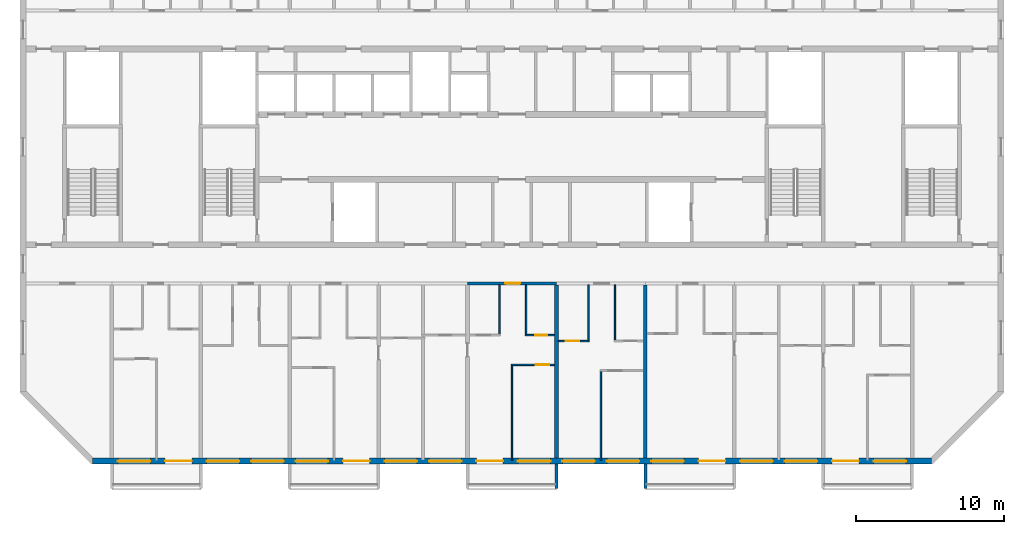
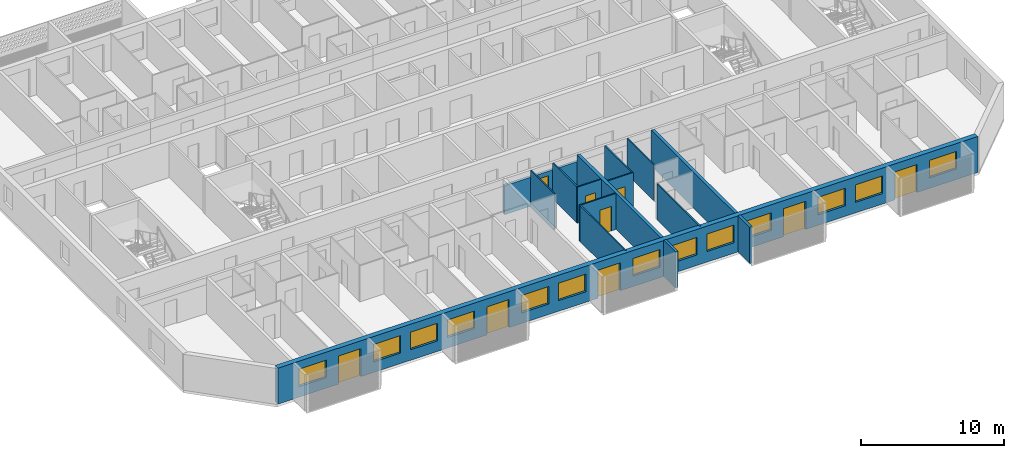
# One storey, part 4 of 27: 15 walls, 13 windows, 9 doors, 22 openings.
"""IFC4 building model written with IfcOpenShell, lengths in metres."""

from ifc_helpers import new_model, si_unit, direction, frame, frame_2d, origin, place, context, subcontext, project, spatial, polyline, rectangle, outline, extrude, source, transform, mapped, material, layer, layer_set, type_object, element, fill, save


model = new_model("IFC4")

# Units and contexts
model_context = context("Model", 3, precision=1e-05, world=origin(), true_north=direction((0.0, 1.0)))
body_context = subcontext(model_context, "Body", "Model", "MODEL_VIEW")
ifc_project = project(units=[si_unit("LENGTHUNIT", "METRE"), si_unit("AREAUNIT", "SQUARE_METRE"), si_unit("VOLUMEUNIT", "CUBIC_METRE"), si_unit("PLANEANGLEUNIT", "RADIAN"), si_unit("MASSUNIT", "GRAM", prefix="KILO")], contexts=[model_context])

# Site, building, storey
site_placement = place(None, origin())
site = spatial("IfcSite", under=ifc_project, at=site_placement, CompositionType="ELEMENT")
building_placement = place(site_placement, origin())
building = spatial("IfcBuilding", under=site, at=building_placement, Name="Poui Terraces", CompositionType="ELEMENT")
storey_placement = place(building_placement, frame((0.0, 0.0, 195.0)))
storey = spatial("IfcBuildingStorey", under=building, at=storey_placement, Name="L54", CompositionType="ELEMENT", Elevation=195.0)

# Wall, opening, door
ifc_material_1 = material(Name="Concrete 50 MPa", Category="concrete")
ifc_layer_1 = layer(ifc_material_1, 0.199951171875)
ifc_layer_set_1 = layer_set([ifc_layer_1], Name="Concrete 50 MPa")
wall_type_1 = type_object("IfcWallType", Name="CORRIDOR WALL 200 50MPa", PredefinedType="SHEAR", material=ifc_layer_set_1)
wall_1_placement = place(storey_placement, frame((48.0, 12.0, 0.0), z_axis=(0.0, 0.0, 1.0), x_axis=(1.0, 0.0, 0.0)))
wall_1 = element("IfcWall", 1, at=wall_1_placement, inside=storey, type_object=wall_type_1, Name="CORRIDOR WALL LINE B BAY 6", PredefinedType="SHEAR", context=body_context, shape_type="SweptSolid", body=[
    extrude(rectangle(XDim=6.0, YDim=0.199951171875, at=frame_2d((3.0, 0.0))), origin(), (0.0, 0.0, 1.0), 2.47998046875),
])
opening_1_placement = place(wall_1_placement, frame((2.550048828125, 0.0, 0.0)))
opening_1 = element("IfcOpeningElement", 2, at=opening_1_placement, cuts=wall_1, Name="Opening FD30S", PredefinedType="OPENING", context=body_context, shape_type="SweptSolid", body=[
    extrude(rectangle(XDim=1.0, YDim=2.10009765625, at=frame_2d((0.5, 1.050048828125))), frame((0.0, 0.10986328125, 0.0), z_axis=(0.0, -1.0, 0.0), x_axis=(1.0, 0.0, 0.0)), (0.0, 0.0, 1.0), 0.219970703125),
])
ifc_material_2 = material(Name="Steel fire door", Category="steel")
door_type_1 = type_object("IfcDoorType", Name="FLAT ENTRANCE DOOR 1000 X 2100", OperationType="NOTDEFINED", PredefinedType="DOOR", material=ifc_material_2)
door_1_placement = place(opening_1_placement, frame((1.0, 0.0, 0.0), z_axis=(0.0, 0.0, 1.0), x_axis=(-1.0, 0.0, 0.0)))
door_1 = element("IfcDoor", 3, at=door_1_placement, inside=storey, type_object=door_type_1, Name="FLAT ENTRANCE DOOR 080", OperationType="SINGLE_SWING_LEFT", OverallHeight=2.10009765625, OverallWidth=1.0, PredefinedType="DOOR", context=body_context, shape_type="SweptSolid", body=[
    extrude(rectangle(XDim=1.0, YDim=2.10009765625, at=frame_2d((0.5, 1.050048828125))), frame((0.0, 0.02490234375, 0.0), z_axis=(0.0, -1.0, 0.0), x_axis=(1.0, 0.0, 0.0)), (0.0, 0.0, 1.0), 0.050048828125),
])
fill(opening_1, door_1)

# Walls
ifc_layer_2 = layer(ifc_material_1, 0.25)
ifc_layer_set_2 = layer_set([ifc_layer_2], Name="Concrete 50 MPa")
wall_type_2 = type_object("IfcWallType", Name="CROSS WALL 250 50MPa", PredefinedType="SHEAR", material=ifc_layer_set_2)
for number, where, z_axis, x_axis, name in (
    (4, (54.0, 0.199951171875, 0.0), (0.0, 0.0, 1.0), (0.0, 1.0, 0.0), "CROSS WALL LINE 10 SOUTH"),
    (5, (60.0, 0.199951171875, 0.0), (0.0, 0.0, 1.0), (0.0, 1.0, 0.0), "CROSS WALL LINE 11 SOUTH"),
):
    element("IfcWall", number, at=place(storey_placement, frame(where, z_axis=z_axis, x_axis=x_axis)), inside=storey, type_object=wall_type_2, Name=name, PredefinedType="SHEAR", context=body_context, shape_type="SweptSolid", body=[
        extrude(rectangle(XDim=11.699951171875, YDim=0.25, at=frame_2d((5.85009765625, 0.0))), origin(), (0.0, 0.0, 1.0), 3.080078125),
    ])

# Wall, openings, doors, windows
ifc_material_3 = material(Name="Precast concrete 40 MPa", Category="concrete")
ifc_layer_3 = layer(ifc_material_3, 0.39990234375)
ifc_layer_set_3 = layer_set([ifc_layer_3], Name="Precast concrete 40 MPa")
wall_type_3 = type_object("IfcWallType", Name="EXTERNAL WALL 400", PredefinedType="STANDARD", material=ifc_layer_set_3)
wall_2_placement = place(storey_placement, frame((22.682861328125, 0.0, 0.0), z_axis=(0.0, 0.0, 1.0), x_axis=(1.0, 0.0, 0.0)))
wall_2 = element("IfcWall", 6, at=wall_2_placement, inside=storey, type_object=wall_type_3, Name="EXTERNAL WALL S", PredefinedType="STANDARD", context=body_context, shape_type="SweptSolid", body=[
    extrude(rectangle(XDim=56.63427734375, YDim=0.39990234375, at=frame_2d((28.317138671875, 0.0))), origin(), (0.0, 0.0, 1.0), 3.080078125),
])
opening_2_placement = place(wall_2_placement, frame((1.71728515625, 0.0, 0.89990234375)))
opening_2 = element("IfcOpeningElement", 7, at=opening_2_placement, cuts=wall_2, Name="Opening W1", PredefinedType="OPENING", context=body_context, shape_type="SweptSolid", body=[
    extrude(rectangle(XDim=2.199951171875, YDim=1.5, at=frame_2d((1.10009765625, 0.75))), frame((0.0, 0.2099609375, 0.0), z_axis=(0.0, -1.0, 0.0), x_axis=(1.0, 0.0, 0.0)), (0.0, 0.0, 1.0), 0.419921875),
])
opening_3_placement = place(wall_2_placement, frame((4.917236328125, 0.0, 0.0)))
opening_3 = element("IfcOpeningElement", 8, at=opening_3_placement, cuts=wall_2, Name="Opening BD1", PredefinedType="OPENING", context=body_context, shape_type="SweptSolid", body=[
    extrude(rectangle(XDim=1.800048828125, YDim=2.39990234375, at=frame_2d((0.89990234375, 1.199951171875))), frame((0.0, 0.2099609375, 0.0), z_axis=(0.0, -1.0, 0.0), x_axis=(1.0, 0.0, 0.0)), (0.0, 0.0, 1.0), 0.419921875),
])
opening_4_placement = place(wall_2_placement, frame((7.71728515625, 0.0, 0.89990234375)))
opening_4 = element("IfcOpeningElement", 9, at=opening_4_placement, cuts=wall_2, Name="Opening W1", PredefinedType="OPENING", context=body_context, shape_type="SweptSolid", body=[
    extrude(rectangle(XDim=2.199951171875, YDim=1.5, at=frame_2d((1.10009765625, 0.75))), frame((0.0, 0.2099609375, 0.0), z_axis=(0.0, -1.0, 0.0), x_axis=(1.0, 0.0, 0.0)), (0.0, 0.0, 1.0), 0.419921875),
])
opening_5_placement = place(wall_2_placement, frame((10.71728515625, 0.0, 0.89990234375)))
opening_5 = element("IfcOpeningElement", 10, at=opening_5_placement, cuts=wall_2, Name="Opening W1", PredefinedType="OPENING", context=body_context, shape_type="SweptSolid", body=[
    extrude(rectangle(XDim=2.199951171875, YDim=1.5, at=frame_2d((1.10009765625, 0.75))), frame((0.0, 0.2099609375, 0.0), z_axis=(0.0, -1.0, 0.0), x_axis=(1.0, 0.0, 0.0)), (0.0, 0.0, 1.0), 0.419921875),
])
opening_6_placement = place(wall_2_placement, frame((13.71728515625, 0.0, 0.89990234375)))
opening_6 = element("IfcOpeningElement", 11, at=opening_6_placement, cuts=wall_2, Name="Opening W1", PredefinedType="OPENING", context=body_context, shape_type="SweptSolid", body=[
    extrude(rectangle(XDim=2.199951171875, YDim=1.5, at=frame_2d((1.10009765625, 0.75))), frame((0.0, 0.2099609375, 0.0), z_axis=(0.0, -1.0, 0.0), x_axis=(1.0, 0.0, 0.0)), (0.0, 0.0, 1.0), 0.419921875),
])
opening_7_placement = place(wall_2_placement, frame((16.917236328125, 0.0, 0.0)))
opening_7 = element("IfcOpeningElement", 12, at=opening_7_placement, cuts=wall_2, Name="Opening BD1", PredefinedType="OPENING", context=body_context, shape_type="SweptSolid", body=[
    extrude(rectangle(XDim=1.800048828125, YDim=2.39990234375, at=frame_2d((0.89990234375, 1.199951171875))), frame((0.0, 0.2099609375, 0.0), z_axis=(0.0, -1.0, 0.0), x_axis=(1.0, 0.0, 0.0)), (0.0, 0.0, 1.0), 0.419921875),
])
opening_8_placement = place(wall_2_placement, frame((19.71728515625, 0.0, 0.89990234375)))
opening_8 = element("IfcOpeningElement", 13, at=opening_8_placement, cuts=wall_2, Name="Opening W1", PredefinedType="OPENING", context=body_context, shape_type="SweptSolid", body=[
    extrude(rectangle(XDim=2.199951171875, YDim=1.5, at=frame_2d((1.10009765625, 0.75))), frame((0.0, 0.2099609375, 0.0), z_axis=(0.0, -1.0, 0.0), x_axis=(1.0, 0.0, 0.0)), (0.0, 0.0, 1.0), 0.419921875),
])
opening_9_placement = place(wall_2_placement, frame((22.71728515625, 0.0, 0.89990234375)))
opening_9 = element("IfcOpeningElement", 14, at=opening_9_placement, cuts=wall_2, Name="Opening W1", PredefinedType="OPENING", context=body_context, shape_type="SweptSolid", body=[
    extrude(rectangle(XDim=2.199951171875, YDim=1.5, at=frame_2d((1.10009765625, 0.75))), frame((0.0, 0.2099609375, 0.0), z_axis=(0.0, -1.0, 0.0), x_axis=(1.0, 0.0, 0.0)), (0.0, 0.0, 1.0), 0.419921875),
])
opening_10_placement = place(wall_2_placement, frame((25.917236328125, 0.0, 0.0)))
opening_10 = element("IfcOpeningElement", 15, at=opening_10_placement, cuts=wall_2, Name="Opening BD1", PredefinedType="OPENING", context=body_context, shape_type="SweptSolid", body=[
    extrude(rectangle(XDim=1.800048828125, YDim=2.39990234375, at=frame_2d((0.89990234375, 1.199951171875))), frame((0.0, 0.2099609375, 0.0), z_axis=(0.0, -1.0, 0.0), x_axis=(1.0, 0.0, 0.0)), (0.0, 0.0, 1.0), 0.419921875),
])
opening_11_placement = place(wall_2_placement, frame((28.71728515625, 0.0, 0.89990234375)))
opening_11 = element("IfcOpeningElement", 16, at=opening_11_placement, cuts=wall_2, Name="Opening W1", PredefinedType="OPENING", context=body_context, shape_type="SweptSolid", body=[
    extrude(rectangle(XDim=2.199951171875, YDim=1.5, at=frame_2d((1.10009765625, 0.75))), frame((0.0, 0.2099609375, 0.0), z_axis=(0.0, -1.0, 0.0), x_axis=(1.0, 0.0, 0.0)), (0.0, 0.0, 1.0), 0.419921875),
])
opening_12_placement = place(wall_2_placement, frame((31.71728515625, 0.0, 0.89990234375)))
opening_12 = element("IfcOpeningElement", 17, at=opening_12_placement, cuts=wall_2, Name="Opening W1", PredefinedType="OPENING", context=body_context, shape_type="SweptSolid", body=[
    extrude(rectangle(XDim=2.199951171875, YDim=1.5, at=frame_2d((1.10009765625, 0.75))), frame((0.0, 0.2099609375, 0.0), z_axis=(0.0, -1.0, 0.0), x_axis=(1.0, 0.0, 0.0)), (0.0, 0.0, 1.0), 0.419921875),
])
opening_13_placement = place(wall_2_placement, frame((34.71728515625, 0.0, 0.89990234375)))
opening_13 = element("IfcOpeningElement", 18, at=opening_13_placement, cuts=wall_2, Name="Opening W1", PredefinedType="OPENING", context=body_context, shape_type="SweptSolid", body=[
    extrude(rectangle(XDim=2.199951171875, YDim=1.5, at=frame_2d((1.10009765625, 0.75))), frame((0.0, 0.2099609375, 0.0), z_axis=(0.0, -1.0, 0.0), x_axis=(1.0, 0.0, 0.0)), (0.0, 0.0, 1.0), 0.419921875),
])
opening_14_placement = place(wall_2_placement, frame((37.71728515625, 0.0, 0.89990234375)))
opening_14 = element("IfcOpeningElement", 19, at=opening_14_placement, cuts=wall_2, Name="Opening W1", PredefinedType="OPENING", context=body_context, shape_type="SweptSolid", body=[
    extrude(rectangle(XDim=2.199951171875, YDim=1.5, at=frame_2d((1.10009765625, 0.75))), frame((0.0, 0.2099609375, 0.0), z_axis=(0.0, -1.0, 0.0), x_axis=(1.0, 0.0, 0.0)), (0.0, 0.0, 1.0), 0.419921875),
])
opening_15_placement = place(wall_2_placement, frame((40.917236328125, 0.0, 0.0)))
opening_15 = element("IfcOpeningElement", 20, at=opening_15_placement, cuts=wall_2, Name="Opening BD1", PredefinedType="OPENING", context=body_context, shape_type="SweptSolid", body=[
    extrude(rectangle(XDim=1.800048828125, YDim=2.39990234375, at=frame_2d((0.89990234375, 1.199951171875))), frame((0.0, 0.2099609375, 0.0), z_axis=(0.0, -1.0, 0.0), x_axis=(1.0, 0.0, 0.0)), (0.0, 0.0, 1.0), 0.419921875),
])
opening_16_placement = place(wall_2_placement, frame((43.71728515625, 0.0, 0.89990234375)))
opening_16 = element("IfcOpeningElement", 21, at=opening_16_placement, cuts=wall_2, Name="Opening W1", PredefinedType="OPENING", context=body_context, shape_type="SweptSolid", body=[
    extrude(rectangle(XDim=2.199951171875, YDim=1.5, at=frame_2d((1.10009765625, 0.75))), frame((0.0, 0.2099609375, 0.0), z_axis=(0.0, -1.0, 0.0), x_axis=(1.0, 0.0, 0.0)), (0.0, 0.0, 1.0), 0.419921875),
])
opening_17_placement = place(wall_2_placement, frame((46.71728515625, 0.0, 0.89990234375)))
opening_17 = element("IfcOpeningElement", 22, at=opening_17_placement, cuts=wall_2, Name="Opening W1", PredefinedType="OPENING", context=body_context, shape_type="SweptSolid", body=[
    extrude(rectangle(XDim=2.199951171875, YDim=1.5, at=frame_2d((1.10009765625, 0.75))), frame((0.0, 0.2099609375, 0.0), z_axis=(0.0, -1.0, 0.0), x_axis=(1.0, 0.0, 0.0)), (0.0, 0.0, 1.0), 0.419921875),
])
opening_18_placement = place(wall_2_placement, frame((49.917236328125, 0.0, 0.0)))
opening_18 = element("IfcOpeningElement", 23, at=opening_18_placement, cuts=wall_2, Name="Opening BD1", PredefinedType="OPENING", context=body_context, shape_type="SweptSolid", body=[
    extrude(rectangle(XDim=1.800048828125, YDim=2.39990234375, at=frame_2d((0.89990234375, 1.199951171875))), frame((0.0, 0.2099609375, 0.0), z_axis=(0.0, -1.0, 0.0), x_axis=(1.0, 0.0, 0.0)), (0.0, 0.0, 1.0), 0.419921875),
])
opening_19_placement = place(wall_2_placement, frame((52.71728515625, 0.0, 0.89990234375)))
opening_19 = element("IfcOpeningElement", 24, at=opening_19_placement, cuts=wall_2, Name="Opening W1", PredefinedType="OPENING", context=body_context, shape_type="SweptSolid", body=[
    extrude(rectangle(XDim=2.199951171875, YDim=1.5, at=frame_2d((1.10009765625, 0.75))), frame((0.0, 0.2099609375, 0.0), z_axis=(0.0, -1.0, 0.0), x_axis=(1.0, 0.0, 0.0)), (0.0, 0.0, 1.0), 0.419921875),
])
ifc_material_4 = material(Name="Clear glass in aluminium frame", Category="aluminium")
door_type_2 = type_object("IfcDoorType", Name="BALCONY DOOR 1800X2400", OperationType="DOUBLE_DOOR_SLIDING", PredefinedType="DOOR", material=ifc_material_4)
door_2_placement = place(opening_3_placement, origin())
door_2 = element("IfcDoor", 25, at=door_2_placement, inside=storey, type_object=door_type_2, Name="BD1 BALCONY DOOR", OperationType="DOUBLE_DOOR_SLIDING", OverallHeight=2.39990234375, OverallWidth=1.800048828125, PredefinedType="DOOR", context=body_context, shape_type="SweptSolid", body=[
    extrude(rectangle(XDim=1.800048828125, YDim=2.39990234375, at=frame_2d((0.89990234375, 1.199951171875))), frame((0.0, 0.02490234375, 0.0), z_axis=(0.0, -1.0, 0.0), x_axis=(1.0, 0.0, 0.0)), (0.0, 0.0, 1.0), 0.050048828125),
])
fill(opening_3, door_2)
door_3_placement = place(opening_7_placement, origin())
door_3 = element("IfcDoor", 26, at=door_3_placement, inside=storey, type_object=door_type_2, Name="BD1 BALCONY DOOR", OperationType="DOUBLE_DOOR_SLIDING", OverallHeight=2.39990234375, OverallWidth=1.800048828125, PredefinedType="DOOR", context=body_context, shape_type="SweptSolid", body=[
    extrude(rectangle(XDim=1.800048828125, YDim=2.39990234375, at=frame_2d((0.89990234375, 1.199951171875))), frame((0.0, 0.02490234375, 0.0), z_axis=(0.0, -1.0, 0.0), x_axis=(1.0, 0.0, 0.0)), (0.0, 0.0, 1.0), 0.050048828125),
])
fill(opening_7, door_3)
door_4_placement = place(opening_10_placement, origin())
door_4 = element("IfcDoor", 27, at=door_4_placement, inside=storey, type_object=door_type_2, Name="BD1 BALCONY DOOR", OperationType="DOUBLE_DOOR_SLIDING", OverallHeight=2.39990234375, OverallWidth=1.800048828125, PredefinedType="DOOR", context=body_context, shape_type="SweptSolid", body=[
    extrude(rectangle(XDim=1.800048828125, YDim=2.39990234375, at=frame_2d((0.89990234375, 1.199951171875))), frame((0.0, 0.02490234375, 0.0), z_axis=(0.0, -1.0, 0.0), x_axis=(1.0, 0.0, 0.0)), (0.0, 0.0, 1.0), 0.050048828125),
])
fill(opening_10, door_4)
door_5_placement = place(opening_15_placement, origin())
door_5 = element("IfcDoor", 28, at=door_5_placement, inside=storey, type_object=door_type_2, Name="BD1 BALCONY DOOR", OperationType="DOUBLE_DOOR_SLIDING", OverallHeight=2.39990234375, OverallWidth=1.800048828125, PredefinedType="DOOR", context=body_context, shape_type="SweptSolid", body=[
    extrude(rectangle(XDim=1.800048828125, YDim=2.39990234375, at=frame_2d((0.89990234375, 1.199951171875))), frame((0.0, 0.02490234375, 0.0), z_axis=(0.0, -1.0, 0.0), x_axis=(1.0, 0.0, 0.0)), (0.0, 0.0, 1.0), 0.050048828125),
])
fill(opening_15, door_5)
door_6_placement = place(opening_18_placement, origin())
door_6 = element("IfcDoor", 29, at=door_6_placement, inside=storey, type_object=door_type_2, Name="BD1 BALCONY DOOR", OperationType="DOUBLE_DOOR_SLIDING", OverallHeight=2.39990234375, OverallWidth=1.800048828125, PredefinedType="DOOR", context=body_context, shape_type="SweptSolid", body=[
    extrude(rectangle(XDim=1.800048828125, YDim=2.39990234375, at=frame_2d((0.89990234375, 1.199951171875))), frame((0.0, 0.02490234375, 0.0), z_axis=(0.0, -1.0, 0.0), x_axis=(1.0, 0.0, 0.0)), (0.0, 0.0, 1.0), 0.050048828125),
])
fill(opening_18, door_6)
window_type = type_object("IfcWindowType", Name="WINDOW 2200X1500", PartitioningType="DOUBLE_PANEL_HORIZONTAL", PredefinedType="WINDOW", material=ifc_material_4)
window_1_placement = place(opening_2_placement, origin())
window_1 = element("IfcWindow", 30, at=window_1_placement, inside=storey, type_object=window_type, Name="W1 WINDOW", OverallHeight=1.5, OverallWidth=2.199951171875, PartitioningType="DOUBLE_PANEL_HORIZONTAL", PredefinedType="WINDOW", context=body_context, shape_type="SweptSolid", body=[
    extrude(rectangle(XDim=2.199951171875, YDim=1.5, at=frame_2d((1.10009765625, 0.75))), frame((0.0, 0.030029296875, 0.0), z_axis=(0.0, -1.0, 0.0), x_axis=(1.0, 0.0, 0.0)), (0.0, 0.0, 1.0), 0.06005859375),
])
fill(opening_2, window_1)
window_2_placement = place(opening_4_placement, origin())
window_2 = element("IfcWindow", 31, at=window_2_placement, inside=storey, type_object=window_type, Name="W1 WINDOW", OverallHeight=1.5, OverallWidth=2.199951171875, PartitioningType="DOUBLE_PANEL_HORIZONTAL", PredefinedType="WINDOW", context=body_context, shape_type="SweptSolid", body=[
    extrude(rectangle(XDim=2.199951171875, YDim=1.5, at=frame_2d((1.10009765625, 0.75))), frame((0.0, 0.030029296875, 0.0), z_axis=(0.0, -1.0, 0.0), x_axis=(1.0, 0.0, 0.0)), (0.0, 0.0, 1.0), 0.06005859375),
])
fill(opening_4, window_2)
window_3_placement = place(opening_5_placement, origin())
window_3 = element("IfcWindow", 32, at=window_3_placement, inside=storey, type_object=window_type, Name="W1 WINDOW", OverallHeight=1.5, OverallWidth=2.199951171875, PartitioningType="DOUBLE_PANEL_HORIZONTAL", PredefinedType="WINDOW", context=body_context, shape_type="SweptSolid", body=[
    extrude(rectangle(XDim=2.199951171875, YDim=1.5, at=frame_2d((1.10009765625, 0.75))), frame((0.0, 0.030029296875, 0.0), z_axis=(0.0, -1.0, 0.0), x_axis=(1.0, 0.0, 0.0)), (0.0, 0.0, 1.0), 0.06005859375),
])
fill(opening_5, window_3)
window_4_placement = place(opening_6_placement, origin())
window_4 = element("IfcWindow", 33, at=window_4_placement, inside=storey, type_object=window_type, Name="W1 WINDOW", OverallHeight=1.5, OverallWidth=2.199951171875, PartitioningType="DOUBLE_PANEL_HORIZONTAL", PredefinedType="WINDOW", context=body_context, shape_type="SweptSolid", body=[
    extrude(rectangle(XDim=2.199951171875, YDim=1.5, at=frame_2d((1.10009765625, 0.75))), frame((0.0, 0.030029296875, 0.0), z_axis=(0.0, -1.0, 0.0), x_axis=(1.0, 0.0, 0.0)), (0.0, 0.0, 1.0), 0.06005859375),
])
fill(opening_6, window_4)
window_5_placement = place(opening_8_placement, origin())
window_5 = element("IfcWindow", 34, at=window_5_placement, inside=storey, type_object=window_type, Name="W1 WINDOW", OverallHeight=1.5, OverallWidth=2.199951171875, PartitioningType="DOUBLE_PANEL_HORIZONTAL", PredefinedType="WINDOW", context=body_context, shape_type="SweptSolid", body=[
    extrude(rectangle(XDim=2.199951171875, YDim=1.5, at=frame_2d((1.10009765625, 0.75))), frame((0.0, 0.030029296875, 0.0), z_axis=(0.0, -1.0, 0.0), x_axis=(1.0, 0.0, 0.0)), (0.0, 0.0, 1.0), 0.06005859375),
])
fill(opening_8, window_5)
window_6_placement = place(opening_9_placement, origin())
window_6 = element("IfcWindow", 35, at=window_6_placement, inside=storey, type_object=window_type, Name="W1 WINDOW", OverallHeight=1.5, OverallWidth=2.199951171875, PartitioningType="DOUBLE_PANEL_HORIZONTAL", PredefinedType="WINDOW", context=body_context, shape_type="SweptSolid", body=[
    extrude(rectangle(XDim=2.199951171875, YDim=1.5, at=frame_2d((1.10009765625, 0.75))), frame((0.0, 0.030029296875, 0.0), z_axis=(0.0, -1.0, 0.0), x_axis=(1.0, 0.0, 0.0)), (0.0, 0.0, 1.0), 0.06005859375),
])
fill(opening_9, window_6)
window_7_placement = place(opening_11_placement, origin())
window_7 = element("IfcWindow", 36, at=window_7_placement, inside=storey, type_object=window_type, Name="W1 WINDOW", OverallHeight=1.5, OverallWidth=2.199951171875, PartitioningType="DOUBLE_PANEL_HORIZONTAL", PredefinedType="WINDOW", context=body_context, shape_type="SweptSolid", body=[
    extrude(rectangle(XDim=2.199951171875, YDim=1.5, at=frame_2d((1.10009765625, 0.75))), frame((0.0, 0.030029296875, 0.0), z_axis=(0.0, -1.0, 0.0), x_axis=(1.0, 0.0, 0.0)), (0.0, 0.0, 1.0), 0.06005859375),
])
fill(opening_11, window_7)
window_8_placement = place(opening_12_placement, origin())
window_8 = element("IfcWindow", 37, at=window_8_placement, inside=storey, type_object=window_type, Name="W1 WINDOW", OverallHeight=1.5, OverallWidth=2.199951171875, PartitioningType="DOUBLE_PANEL_HORIZONTAL", PredefinedType="WINDOW", context=body_context, shape_type="SweptSolid", body=[
    extrude(rectangle(XDim=2.199951171875, YDim=1.5, at=frame_2d((1.10009765625, 0.75))), frame((0.0, 0.030029296875, 0.0), z_axis=(0.0, -1.0, 0.0), x_axis=(1.0, 0.0, 0.0)), (0.0, 0.0, 1.0), 0.06005859375),
])
fill(opening_12, window_8)
window_9_placement = place(opening_13_placement, origin())
window_9 = element("IfcWindow", 38, at=window_9_placement, inside=storey, type_object=window_type, Name="W1 WINDOW", OverallHeight=1.5, OverallWidth=2.199951171875, PartitioningType="DOUBLE_PANEL_HORIZONTAL", PredefinedType="WINDOW", context=body_context, shape_type="SweptSolid", body=[
    extrude(rectangle(XDim=2.199951171875, YDim=1.5, at=frame_2d((1.10009765625, 0.75))), frame((0.0, 0.030029296875, 0.0), z_axis=(0.0, -1.0, 0.0), x_axis=(1.0, 0.0, 0.0)), (0.0, 0.0, 1.0), 0.06005859375),
])
fill(opening_13, window_9)
window_10_placement = place(opening_14_placement, origin())
window_10 = element("IfcWindow", 39, at=window_10_placement, inside=storey, type_object=window_type, Name="W1 WINDOW", OverallHeight=1.5, OverallWidth=2.199951171875, PartitioningType="DOUBLE_PANEL_HORIZONTAL", PredefinedType="WINDOW", context=body_context, shape_type="SweptSolid", body=[
    extrude(rectangle(XDim=2.199951171875, YDim=1.5, at=frame_2d((1.10009765625, 0.75))), frame((0.0, 0.030029296875, 0.0), z_axis=(0.0, -1.0, 0.0), x_axis=(1.0, 0.0, 0.0)), (0.0, 0.0, 1.0), 0.06005859375),
])
fill(opening_14, window_10)
window_11_placement = place(opening_16_placement, origin())
window_11 = element("IfcWindow", 40, at=window_11_placement, inside=storey, type_object=window_type, Name="W1 WINDOW", OverallHeight=1.5, OverallWidth=2.199951171875, PartitioningType="DOUBLE_PANEL_HORIZONTAL", PredefinedType="WINDOW", context=body_context, shape_type="SweptSolid", body=[
    extrude(rectangle(XDim=2.199951171875, YDim=1.5, at=frame_2d((1.10009765625, 0.75))), frame((0.0, 0.030029296875, 0.0), z_axis=(0.0, -1.0, 0.0), x_axis=(1.0, 0.0, 0.0)), (0.0, 0.0, 1.0), 0.06005859375),
])
fill(opening_16, window_11)
window_12_placement = place(opening_17_placement, origin())
window_12 = element("IfcWindow", 41, at=window_12_placement, inside=storey, type_object=window_type, Name="W1 WINDOW", OverallHeight=1.5, OverallWidth=2.199951171875, PartitioningType="DOUBLE_PANEL_HORIZONTAL", PredefinedType="WINDOW", context=body_context, shape_type="SweptSolid", body=[
    extrude(rectangle(XDim=2.199951171875, YDim=1.5, at=frame_2d((1.10009765625, 0.75))), frame((0.0, 0.030029296875, 0.0), z_axis=(0.0, -1.0, 0.0), x_axis=(1.0, 0.0, 0.0)), (0.0, 0.0, 1.0), 0.06005859375),
])
fill(opening_17, window_12)
window_13_placement = place(opening_19_placement, origin())
window_13 = element("IfcWindow", 42, at=window_13_placement, inside=storey, type_object=window_type, Name="W1 WINDOW", OverallHeight=1.5, OverallWidth=2.199951171875, PartitioningType="DOUBLE_PANEL_HORIZONTAL", PredefinedType="WINDOW", context=body_context, shape_type="SweptSolid", body=[
    extrude(rectangle(XDim=2.199951171875, YDim=1.5, at=frame_2d((1.10009765625, 0.75))), frame((0.0, 0.030029296875, 0.0), z_axis=(0.0, -1.0, 0.0), x_axis=(1.0, 0.0, 0.0)), (0.0, 0.0, 1.0), 0.06005859375),
])
fill(opening_19, window_13)

# Wall, opening, door
ifc_material_5 = material(Name="Plasterboard partition")
ifc_layer_4 = layer(ifc_material_5, 0.10009765625)
ifc_layer_set_4 = layer_set([ifc_layer_4], Name="Plasterboard partition")
wall_type_4 = type_object("IfcWallType", Name="FLAT PARTITION 100", PredefinedType="PARTITIONING", material=ifc_layer_set_4)
wall_3_placement = place(storey_placement, frame((50.949951171875, 6.5, 0.0), z_axis=(0.0, 0.0, 1.0), x_axis=(1.0, 0.0, 0.0)))
wall_3 = element("IfcWall", 43, at=wall_3_placement, inside=storey, type_object=wall_type_4, Name="FLAT PARTITION 100", PredefinedType="PARTITIONING", context=body_context, shape_type="SweptSolid", body=[
    extrude(rectangle(XDim=2.9150390625, YDim=0.10009765625, at=frame_2d((1.45751953125, 0.0))), origin(), (0.0, 0.0, 1.0), 3.080078125),
])
opening_20_placement = place(wall_3_placement, frame((1.64990234375, 0.0, 0.0)))
opening_20 = element("IfcOpeningElement", 44, at=opening_20_placement, cuts=wall_3, Name="Opening D90", PredefinedType="OPENING", context=body_context, shape_type="SweptSolid", body=[
    extrude(rectangle(XDim=0.89990234375, YDim=2.10009765625, at=frame_2d((0.449951171875, 1.050048828125))), frame((0.0, 0.06005859375, 0.0), z_axis=(0.0, -1.0, 0.0), x_axis=(1.0, 0.0, 0.0)), (0.0, 0.0, 1.0), 0.1201171875),
])
ifc_material_6 = material(Name="Solid core timber door", Category="wood")
door_type_3 = type_object("IfcDoorType", Name="INTERNAL DOOR 900 X 2100", OperationType="NOTDEFINED", PredefinedType="DOOR", material=ifc_material_6)
door_7_placement = place(opening_20_placement, origin())
door_7 = element("IfcDoor", 45, at=door_7_placement, inside=storey, type_object=door_type_3, Name="INTERNAL DOOR 082", OperationType="SINGLE_SWING_LEFT", OverallHeight=2.10009765625, OverallWidth=0.89990234375, PredefinedType="DOOR", context=body_context, shape_type="SweptSolid", body=[
    extrude(rectangle(XDim=0.89990234375, YDim=2.10009765625, at=frame_2d((0.449951171875, 1.050048828125))), frame((0.0, 0.02490234375, 0.0), z_axis=(0.0, -1.0, 0.0), x_axis=(1.0, 0.0, 0.0)), (0.0, 0.0, 1.0), 0.050048828125),
])
fill(opening_20, door_7)

wall_4_placement = place(storey_placement, frame((54.135009765625, 8.10009765625, 0.0), z_axis=(0.0, 0.0, 1.0), x_axis=(1.0, 0.0, 0.0)))
wall_4 = element("IfcWall", 46, at=wall_4_placement, inside=storey, type_object=wall_type_4, Name="FLAT PARTITION 100", PredefinedType="PARTITIONING", context=body_context, shape_type="SweptSolid", body=[
    extrude(rectangle(XDim=2.06494140625, YDim=0.10009765625, at=frame_2d((1.032470703125, 0.0))), origin(), (0.0, 0.0, 1.0), 3.080078125),
])
opening_21_placement = place(wall_4_placement, frame((0.489990234375, 0.0, 0.0)))
opening_21 = element("IfcOpeningElement", 47, at=opening_21_placement, cuts=wall_4, Name="Opening D90", PredefinedType="OPENING", context=body_context, shape_type="SweptSolid", body=[
    extrude(rectangle(XDim=0.89990234375, YDim=2.10009765625, at=frame_2d((0.449951171875, 1.050048828125))), frame((0.0, 0.06005859375, 0.0), z_axis=(0.0, -1.0, 0.0), x_axis=(1.0, 0.0, 0.0)), (0.0, 0.0, 1.0), 0.1201171875),
])
door_8_placement = place(opening_21_placement, origin())
door_8 = element("IfcDoor", 48, at=door_8_placement, inside=storey, type_object=door_type_3, Name="INTERNAL DOOR 083", OperationType="SINGLE_SWING_RIGHT", OverallHeight=2.10009765625, OverallWidth=0.89990234375, PredefinedType="DOOR", context=body_context, shape_type="SweptSolid", body=[
    extrude(rectangle(XDim=0.89990234375, YDim=2.10009765625, at=frame_2d((0.449951171875, 1.050048828125))), frame((0.0, 0.02490234375, 0.0), z_axis=(0.0, -1.0, 0.0), x_axis=(1.0, 0.0, 0.0)), (0.0, 0.0, 1.0), 0.050048828125),
])
fill(opening_21, door_8)

wall_5_placement = place(storey_placement, frame((51.89990234375, 8.5, 0.0), z_axis=(0.0, 0.0, 1.0), x_axis=(1.0, 0.0, 0.0)))
wall_5 = element("IfcWall", 49, at=wall_5_placement, inside=storey, type_object=wall_type_4, Name="FLAT PARTITION 100", PredefinedType="PARTITIONING", context=body_context, shape_type="SweptSolid", body=[
    extrude(rectangle(XDim=1.965087890625, YDim=0.10009765625, at=frame_2d((0.982421875, 0.0))), origin(), (0.0, 0.0, 1.0), 3.080078125),
])
opening_22_placement = place(wall_5_placement, frame((0.675048828125, 0.0, 0.0)))
opening_22 = element("IfcOpeningElement", 50, at=opening_22_placement, cuts=wall_5, Name="Opening D80", PredefinedType="OPENING", context=body_context, shape_type="SweptSolid", body=[
    extrude(rectangle(XDim=0.800048828125, YDim=2.10009765625, at=frame_2d((0.39990234375, 1.050048828125))), frame((0.0, 0.06005859375, 0.0), z_axis=(0.0, -1.0, 0.0), x_axis=(1.0, 0.0, 0.0)), (0.0, 0.0, 1.0), 0.1201171875),
])
door_type_4 = type_object("IfcDoorType", Name="BATHROOM, LAUNDRY AND STORE DOOR 800 X 2100", OperationType="NOTDEFINED", PredefinedType="DOOR", material=ifc_material_6)
door_9_placement = place(opening_22_placement, origin())
door_9 = element("IfcDoor", 51, at=door_9_placement, inside=storey, type_object=door_type_4, Name="BATHROOM, LAUNDRY AND STORE DOOR 081", OperationType="SINGLE_SWING_RIGHT", OverallHeight=2.10009765625, OverallWidth=0.800048828125, PredefinedType="DOOR", context=body_context, shape_type="SweptSolid", body=[
    extrude(rectangle(XDim=0.800048828125, YDim=2.10009765625, at=frame_2d((0.39990234375, 1.050048828125))), frame((0.0, 0.02490234375, 0.0), z_axis=(0.0, -1.0, 0.0), x_axis=(1.0, 0.0, 0.0)), (0.0, 0.0, 1.0), 0.050048828125),
])
fill(opening_22, door_9)

# Walls
wall_6_placement = place(storey_placement, frame((50.14990234375, 8.550048828125, 0.0), z_axis=(0.0, 0.0, 1.0), x_axis=(0.0, 1.0, 0.0)))
element("IfcWall", 52, at=wall_6_placement, inside=storey, type_object=wall_type_4, Name="FLAT PARTITION 100", PredefinedType="PARTITIONING", context=body_context, shape_type="SweptSolid", body=[
    extrude(rectangle(XDim=3.33984375, YDim=0.10009765625, at=frame_2d((1.669921875, 0.0))), origin(), (0.0, 0.0, 1.0), 3.080078125),
])
wall_7_placement = place(storey_placement, frame((51.0, 0.06005859375, 0.0), z_axis=(0.0, 0.0, 1.0), x_axis=(0.0, 1.0, 0.0)))
element("IfcWall", 53, at=wall_7_placement, inside=storey, type_object=wall_type_4, Name="FLAT PARTITION 100", PredefinedType="PARTITIONING", context=body_context, shape_type="SweptSolid", body=[
    extrude(rectangle(XDim=6.389892578125, YDim=0.10009765625, at=frame_2d((3.19482421875, 0.0))), origin(), (0.0, 0.0, 1.0), 3.080078125),
])
wall_8_placement = place(storey_placement, frame((51.949951171875, 8.550048828125, 0.0), z_axis=(0.0, 0.0, 1.0), x_axis=(0.0, 1.0, 0.0)))
element("IfcWall", 54, at=wall_8_placement, inside=storey, type_object=wall_type_4, Name="FLAT PARTITION 100", PredefinedType="PARTITIONING", context=body_context, shape_type="SweptSolid", body=[
    extrude(rectangle(XDim=3.33984375, YDim=0.10009765625, at=frame_2d((1.669921875, 0.0))), origin(), (0.0, 0.0, 1.0), 3.080078125),
])
wall_9_placement = place(storey_placement, frame((56.14990234375, 8.14990234375, 0.0), z_axis=(0.0, 0.0, 1.0), x_axis=(0.0, 1.0, 0.0)))
element("IfcWall", 55, at=wall_9_placement, inside=storey, type_object=wall_type_4, Name="FLAT PARTITION 100", PredefinedType="PARTITIONING", context=body_context, shape_type="SweptSolid", body=[
    extrude(rectangle(XDim=3.739990234375, YDim=0.10009765625, at=frame_2d((1.8701171875, 0.0))), origin(), (0.0, 0.0, 1.0), 3.080078125),
])
wall_10_placement = place(storey_placement, frame((57.0, 0.06005859375, 0.0), z_axis=(0.0, 0.0, 1.0), x_axis=(0.0, 1.0, 0.0)))
element("IfcWall", 56, at=wall_10_placement, inside=storey, type_object=wall_type_4, Name="FLAT PARTITION 100", PredefinedType="PARTITIONING", context=body_context, shape_type="SweptSolid", body=[
    extrude(rectangle(XDim=5.989990234375, YDim=0.10009765625, at=frame_2d((2.9951171875, 0.0))), origin(), (0.0, 0.0, 1.0), 3.080078125),
])
wall_11_placement = place(storey_placement, frame((57.949951171875, 8.14990234375, 0.0), z_axis=(0.0, 0.0, 1.0), x_axis=(0.0, 1.0, 0.0)))
element("IfcWall", 57, at=wall_11_placement, inside=storey, type_object=wall_type_4, Name="FLAT PARTITION 100", PredefinedType="PARTITIONING", context=body_context, shape_type="SweptSolid", body=[
    extrude(rectangle(XDim=3.739990234375, YDim=0.10009765625, at=frame_2d((1.8701171875, 0.0))), origin(), (0.0, 0.0, 1.0), 3.080078125),
])
ifc_layer_5 = layer(ifc_material_3, 0.199951171875)
ifc_layer_set_5 = layer_set([ifc_layer_5], Name="Precast concrete 40 MPa")
wall_type_5 = type_object("IfcWallType", Name="REAR FIN 200", PredefinedType="STANDARD", material=ifc_layer_set_5)
shared_shape = source(origin(), body_context, "Body", "SweptSolid", [
    extrude(outline(polyline([(0.0, 0.0), (0.2001953125, 0.0), (0.2001953125, 1.650146484375), (0.0, 1.650146484375), (0.0, 0.0)])), origin(), (0.0, 0.0, 1.0), 3.10009765625),
])
for number, where, name in (
    (58, (53.89990234375, -1.85009765625, 0.0), "REAR FIN"),
    (59, (59.89990234375, -1.85009765625, 0.0), "REAR FIN"),
):
    element("IfcWall", number, at=place(storey_placement, frame(where)), inside=storey, type_object=wall_type_5, Name=name, PredefinedType="STANDARD", context=body_context, shape_type="MappedRepresentation", body=[
        mapped(shared_shape, transform((0.0, 0.0, 0.0))),
    ])

save(model, "model.ifc")
